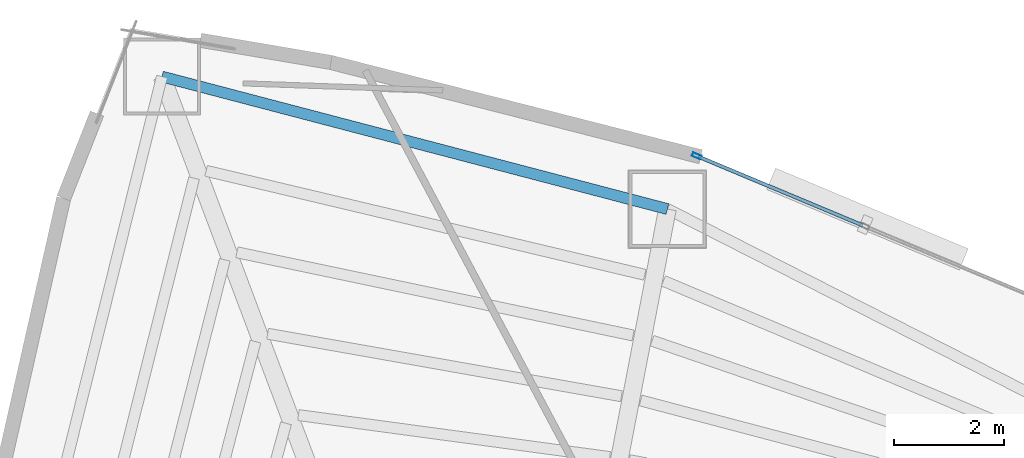
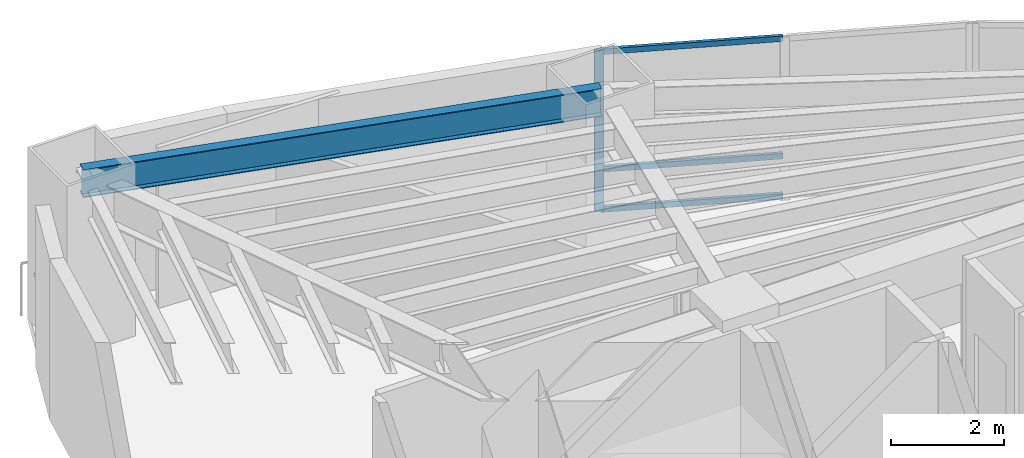
# One storey, part 9 of 18: 4 members, 1 beam, 1 element without a shape of its own.
"""IFC4 building model written with IfcOpenShell, lengths in metres."""

from ifc_helpers import new_model, si_unit, direction, frame, origin, origin_2d, place, context, subcontext, project, spatial, hollow_rectangle, i_section, extrude, material, layer, layer_set, material_profile, profile_set, type_object, element, aggregate, save


model = new_model("IFC4")

# Units and contexts
model_context = context("Model", 3, precision=1e-05, world=origin(), true_north=direction((0.0, 1.0)))
body_context = subcontext(model_context, "Body", "Model", "MODEL_VIEW")
ifc_project = project(units=[si_unit("LENGTHUNIT", "METRE"), si_unit("AREAUNIT", "SQUARE_METRE"), si_unit("VOLUMEUNIT", "CUBIC_METRE"), si_unit("PLANEANGLEUNIT", "RADIAN"), si_unit("MASSUNIT", "GRAM", prefix="KILO")], contexts=[model_context])

# Site, building, storey
site_placement = place(None, origin())
site = spatial("IfcSite", under=ifc_project, at=site_placement, CompositionType="ELEMENT")
building_placement = place(site_placement, origin())
building = spatial("IfcBuilding", under=site, at=building_placement, Name="Menara Vayukalpa", CompositionType="ELEMENT")
storey_placement = place(building_placement, frame((0.0, 0.0, 35.0400390625)))
storey = spatial("IfcBuildingStorey", under=building, at=storey_placement, Name="L07", CompositionType="ELEMENT", Elevation=35.0400390625)

# Beam
ifc_material_1 = material(Name="Steel S355", Category="steel")
ifc_material_profile_1 = material_profile(ifc_material_1, i_section(OverallWidth=0.199951171875, OverallDepth=0.60009765625, WebThickness=0.010986328125, FlangeThickness=0.01708984375, at=origin_2d()), Name="WF 600x200x11x17")
ifc_profile_set_1 = profile_set([ifc_material_profile_1], Name="Steel S355")
beam_type = type_object("IfcBeamType", Name="BM-SP1", PredefinedType="SPANDREL", material=ifc_profile_set_1)
beam_placement = place(storey_placement, frame((23.41943359375, 33.9228515625, 3.169921875), z_axis=(-0.967331024421, 0.253516644802, 0.0), x_axis=(-0.253516644802, -0.967331024421, 0.0)))
element("IfcBeam", 1, at=beam_placement, inside=storey, type_object=beam_type, Name="L07 Perimeter Spandrel Beam SP03", PredefinedType="SPANDREL", context=body_context, shape_type="SweptSolid", body=[
    extrude(i_section(OverallWidth=0.199951171875, OverallDepth=0.60009765625, WebThickness=0.010986328125, FlangeThickness=0.01708984375, at=origin_2d()), origin(), (0.0, 0.0, 1.0), 9.5126953125),
])

# Curtain wall, members
ifc_material_2 = material(Name="Anodised Terracotta Aluminium Alloy 6063-T6", Category="masonry")
ifc_layer = layer(ifc_material_2, 0.1650390625)
ifc_layer_set = layer_set([ifc_layer], Name="Anodised Terracotta Aluminium Alloy 6063-T6")
curtain_wall_type = type_object("IfcCurtainWallType", Name="CW-CW2", PredefinedType="USERDEFINED", material=ifc_layer_set)
curtain_wall_placement = place(storey_placement, origin())
curtain_wall = element("IfcCurtainWall", 2, at=curtain_wall_placement, inside=storey, type_object=curtain_wall_type, Name="L07 Low Rise Terracotta Ribbon Curtain Wall CW2 05", ObjectType="UNITISED", PredefinedType="USERDEFINED")
ifc_material_3 = material(Name="Anodised Terracotta Aluminium Alloy 6063-T6", Category="masonry")
ifc_material_profile_2 = material_profile(ifc_material_3, hollow_rectangle(XDim=0.070068359375, YDim=0.1650390625, WallThickness=0.00390625, at=origin_2d()), Name="ALU 70x165x4")
ifc_profile_set_2 = profile_set([ifc_material_profile_2], Name="Anodised Terracotta Aluminium Alloy 6063-T6")
member_type_1 = type_object("IfcMemberType", Name="CWM-CW2", PredefinedType="MULLION", material=ifc_profile_set_2)
member_1_placement = place(storey_placement, frame((23.950927734375, 34.889404296875, 0.0), z_axis=(0.0, 0.0, 1.0), x_axis=(-0.385895120445, -0.922542658101, 0.0)))
member_1 = element("IfcMember", 3, at=member_1_placement, type_object=member_type_1, Name="CW2 mullion 3", PredefinedType="MULLION", context=body_context, shape_type="SweptSolid", body=[
    extrude(hollow_rectangle(XDim=0.070068359375, YDim=0.1650390625, WallThickness=0.00390625, at=origin_2d()), origin(), (0.0, 0.0, 1.0), 3.469970703125),
])
ifc_material_4 = material(Name="Anodised Terracotta Aluminium Alloy 6063-T6", Category="masonry")
ifc_material_profile_3 = material_profile(ifc_material_4, hollow_rectangle(XDim=0.06494140625, YDim=0.1201171875, WallThickness=0.00341796875, at=origin_2d()), Name="ALU 65x120x3.5")
ifc_profile_set_3 = profile_set([ifc_material_profile_3], Name="Anodised Terracotta Aluminium Alloy 6063-T6")
member_type_2 = type_object("IfcMemberType", Name="CWT-CW2", PredefinedType="USERDEFINED", material=ifc_profile_set_3)
member_2_placement = place(storey_placement, frame((26.974609375, 33.624755859375, 0.032470703125), z_axis=(-0.922552588381, 0.385871379699, 0.0), x_axis=(-0.385871379699, -0.922552588381, 0.0)))
member_2 = element("IfcMember", 4, at=member_2_placement, type_object=member_type_2, Name="CW2 transom 2.1", ObjectType="TRANSOM", PredefinedType="USERDEFINED", context=body_context, shape_type="SweptSolid", body=[
    extrude(hollow_rectangle(XDim=0.06494140625, YDim=0.1201171875, WallThickness=0.00341796875, at=origin_2d()), origin(), (0.0, 0.0, 1.0), 3.24267578125),
])
member_3_placement = place(storey_placement, frame((26.974609375, 33.624755859375, 0.89990234375), z_axis=(-0.922552588381, 0.385871379699, 0.0), x_axis=(-0.385871379699, -0.922552588381, 0.0)))
member_3 = element("IfcMember", 5, at=member_3_placement, type_object=member_type_2, Name="CW2 transom 2.2", ObjectType="TRANSOM", PredefinedType="USERDEFINED", context=body_context, shape_type="SweptSolid", body=[
    extrude(hollow_rectangle(XDim=0.06494140625, YDim=0.1201171875, WallThickness=0.00341796875, at=origin_2d()), origin(), (0.0, 0.0, 1.0), 3.24267578125),
])
member_4_placement = place(storey_placement, frame((26.974609375, 33.624755859375, 3.4375), z_axis=(-0.922552588381, 0.385871379699, 0.0), x_axis=(-0.385871379699, -0.922552588381, 0.0)))
member_4 = element("IfcMember", 6, at=member_4_placement, type_object=member_type_2, Name="CW2 transom 2.3", ObjectType="TRANSOM", PredefinedType="USERDEFINED", context=body_context, shape_type="SweptSolid", body=[
    extrude(hollow_rectangle(XDim=0.06494140625, YDim=0.1201171875, WallThickness=0.00341796875, at=origin_2d()), origin(), (0.0, 0.0, 1.0), 3.24267578125),
])
aggregate(curtain_wall, [member_1, member_2, member_3, member_4])

save(model, "model.ifc")
